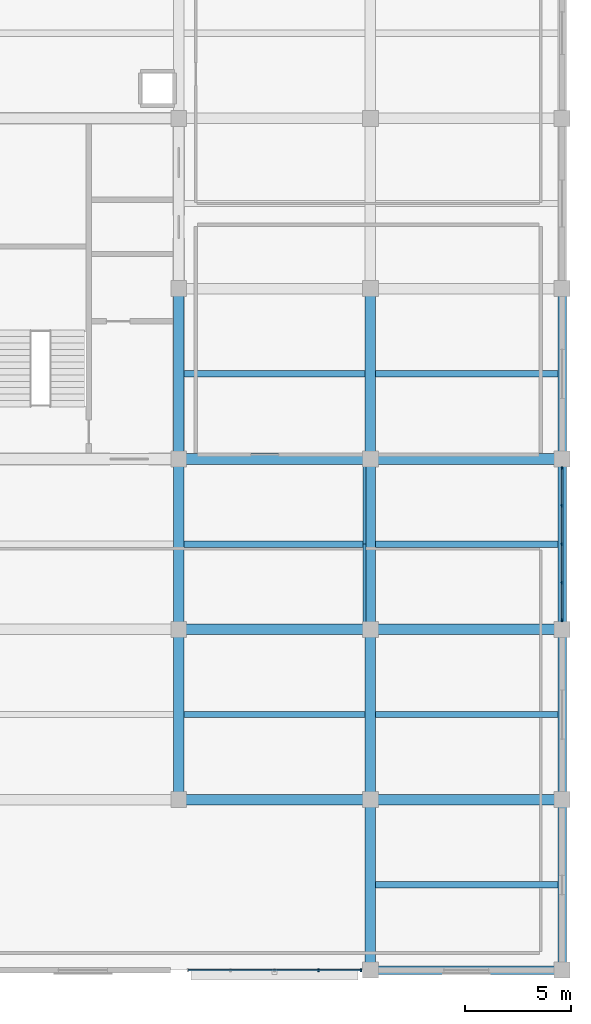
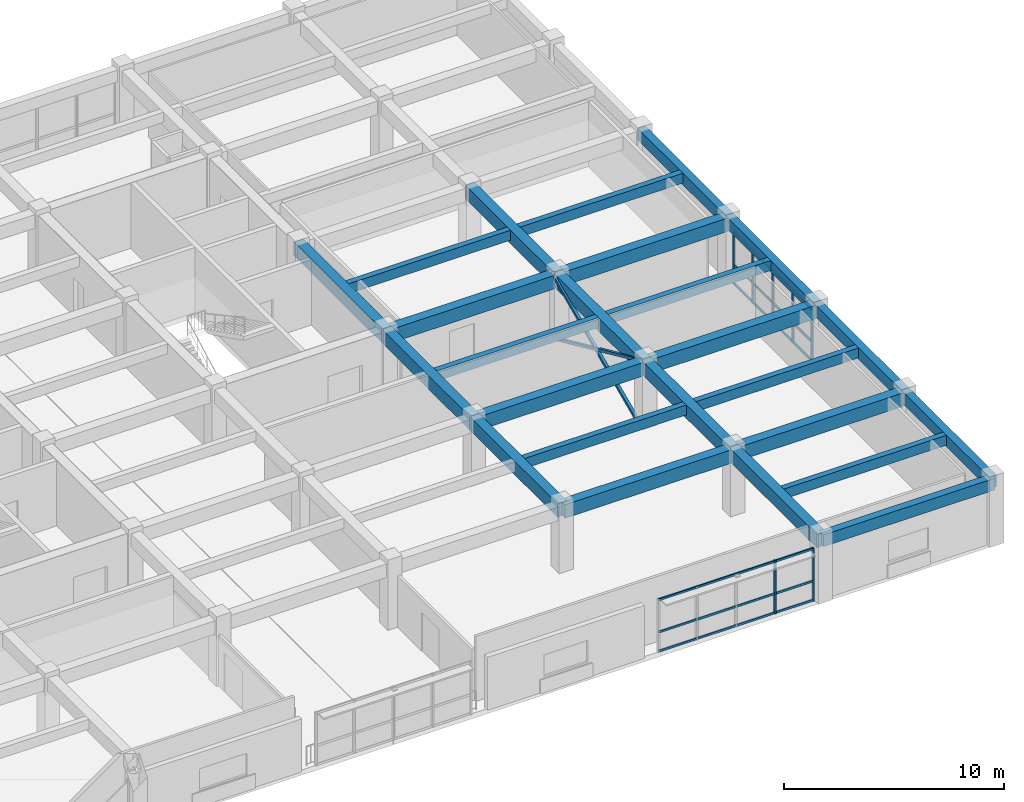
# One storey, part 6 of 15: 25 beams, 15 members, 2 elements without a shape of their own.
"""IFC4 building model written with IfcOpenShell, lengths in metres."""

from ifc_helpers import new_model, si_unit, direction, frame, origin, origin_2d, place, context, subcontext, project, spatial, rectangle, hollow_rectangle, extrude, material, material_profile, profile_set, type_object, element, aggregate, save


model = new_model("IFC4")

# Units and contexts
model_context = context("Model", 3, precision=1e-05, world=origin(), true_north=direction((0.0, 1.0)))
body_context = subcontext(model_context, "Body", "Model", "MODEL_VIEW")
ifc_project = project(units=[si_unit("LENGTHUNIT", "METRE"), si_unit("AREAUNIT", "SQUARE_METRE"), si_unit("VOLUMEUNIT", "CUBIC_METRE"), si_unit("PLANEANGLEUNIT", "RADIAN"), si_unit("MASSUNIT", "GRAM", prefix="KILO")], contexts=[model_context])

# Site, building, storey
site_placement = place(None, origin())
site = spatial("IfcSite", under=ifc_project, at=site_placement, CompositionType="ELEMENT")
building_placement = place(site_placement, origin())
building = spatial("IfcBuilding", under=site, at=building_placement, Name="Zaverband Oceanarium and Marine Research Institute", CompositionType="ELEMENT")
storey_placement = place(building_placement, frame((0.0, 0.0, 49.199951171875)))
storey = spatial("IfcBuildingStorey", under=building, at=storey_placement, Name="L12", CompositionType="ELEMENT", Elevation=49.199951171875)

# Beams
ifc_material_1 = material(Name="Concrete C40/50", Category="concrete")
ifc_material_profile_1 = material_profile(ifc_material_1, rectangle(XDim=0.5, YDim=0.75, at=origin_2d()), Name="RC500x750")
ifc_profile_set_1 = profile_set([ifc_material_profile_1], Name="Concrete C40/50")
beam_type_1 = type_object("IfcBeamType", Name="BM-500x750", PredefinedType="BEAM", material=ifc_profile_set_1)
for number, where, z_axis, x_axis, name in (
    (1, (45.0, 72.0, 3.2451171875), (1.0, 0.0, 0.0), (0.0, 1.0, 0.0), "Primary floor girder BM-500x750"),
    (2, (54.0, 72.0, 3.2451171875), (1.0, 0.0, 0.0), (0.0, 1.0, 0.0), "Primary floor girder BM-500x750"),
    (3, (45.0, 80.0, 3.2451171875), (1.0, 0.0, 0.0), (0.0, 1.0, 0.0), "Primary floor girder BM-500x750"),
    (4, (54.0, 80.0, 3.2451171875), (1.0, 0.0, 0.0), (0.0, 1.0, 0.0), "Primary floor girder BM-500x750"),
    (5, (45.0, 88.0, 3.2451171875), (1.0, 0.0, 0.0), (0.0, 1.0, 0.0), "Primary floor girder BM-500x750"),
    (6, (54.0, 88.0, 3.2451171875), (1.0, 0.0, 0.0), (0.0, 1.0, 0.0), "Primary floor girder BM-500x750"),
):
    element("IfcBeam", number, at=place(storey_placement, frame(where, z_axis=z_axis, x_axis=x_axis)), inside=storey, type_object=beam_type_1, Name=name, PredefinedType="BEAM", context=body_context, shape_type="SweptSolid", body=[
        extrude(rectangle(XDim=0.5, YDim=0.75, at=origin_2d()), origin(), (0.0, 0.0, 1.0), 9.0),
    ])
for number, where, z_axis, x_axis, name in (
    (7, (45.0, 72.0, 3.2451171875), (0.0, 1.0, 0.0), (-1.0, 0.0, 0.0), "Primary floor girder BM-500x750"),
    (8, (45.0, 80.0, 3.2451171875), (0.0, 1.0, 0.0), (-1.0, 0.0, 0.0), "Primary floor girder BM-500x750"),
    (9, (45.0, 88.0, 3.2451171875), (0.0, 1.0, 0.0), (-1.0, 0.0, 0.0), "Primary floor girder BM-500x750"),
    (10, (54.0, 64.0, 3.2451171875), (0.0, 1.0, 0.0), (-1.0, 0.0, 0.0), "Primary floor girder BM-500x750"),
    (11, (54.0, 72.0, 3.2451171875), (0.0, 1.0, 0.0), (-1.0, 0.0, 0.0), "Primary floor girder BM-500x750"),
    (12, (54.0, 80.0, 3.2451171875), (0.0, 1.0, 0.0), (-1.0, 0.0, 0.0), "Primary floor girder BM-500x750"),
    (13, (54.0, 88.0, 3.2451171875), (0.0, 1.0, 0.0), (-1.0, 0.0, 0.0), "Primary floor girder BM-500x750"),
):
    element("IfcBeam", number, at=place(storey_placement, frame(where, z_axis=z_axis, x_axis=x_axis)), inside=storey, type_object=beam_type_1, Name=name, PredefinedType="BEAM", context=body_context, shape_type="SweptSolid", body=[
        extrude(rectangle(XDim=0.5, YDim=0.75, at=origin_2d()), origin(), (0.0, 0.0, 1.0), 8.0),
    ])

# Members
ifc_material_2 = material(Name="Steel S355", Category="steel")
ifc_material_profile_2 = material_profile(ifc_material_2, hollow_rectangle(XDim=0.14990234375, YDim=0.14990234375, WallThickness=0.008056640625, at=origin_2d()), Name="SHS150x150x8")
ifc_profile_set_2 = profile_set([ifc_material_profile_2], Name="Steel S355")
member_type_1 = type_object("IfcMemberType", Name="BR-04", PredefinedType="BRACE", material=ifc_profile_set_2)
for number, where, z_axis, x_axis, name in (
    (14, (53.719970703125, 80.0, 0.0), (0.0, 0.91106217571, 0.412268980146), (-1.0, 0.0, 0.0), "Diagonal lateral brace BR-04"),
    (15, (53.719970703125, 88.0, 0.0), (0.0, -0.91106217571, 0.412268980146), (1.0, 0.0, 0.0), "Diagonal lateral brace BR-04"),
):
    element("IfcMember", number, at=place(storey_placement, frame(where, z_axis=z_axis, x_axis=x_axis)), inside=storey, type_object=member_type_1, Name=name, PredefinedType="BRACE", context=body_context, shape_type="SweptSolid", body=[
        extrude(hollow_rectangle(XDim=0.14990234375, YDim=0.14990234375, WallThickness=0.008056640625, at=origin_2d()), origin(), (0.0, 0.0, 1.0), 8.781005859375),
    ])

# Beams
ifc_material_profile_3 = material_profile(ifc_material_1, rectangle(XDim=0.300048828125, YDim=0.550048828125, at=origin_2d()), Name="RC300x550")
ifc_profile_set_3 = profile_set([ifc_material_profile_3], Name="Concrete C40/50")
beam_type_2 = type_object("IfcBeamType", Name="JST-300x550", PredefinedType="JOIST", material=ifc_profile_set_3)
for number, where, z_axis, x_axis, name in (
    (16, (45.25, 76.0, 3.344970703125), (1.0, 0.0, 0.0), (0.0, 1.0, 0.0), "Secondary floor joist JST-300x550"),
    (17, (45.25, 84.0, 3.344970703125), (1.0, 0.0, 0.0), (0.0, 1.0, 0.0), "Secondary floor joist JST-300x550"),
    (18, (45.25, 92.0, 3.344970703125), (1.0, 0.0, 0.0), (0.0, 1.0, 0.0), "Secondary floor joist JST-300x550"),
):
    element("IfcBeam", number, at=place(storey_placement, frame(where, z_axis=z_axis, x_axis=x_axis)), inside=storey, type_object=beam_type_2, Name=name, PredefinedType="JOIST", context=body_context, shape_type="SweptSolid", body=[
        extrude(rectangle(XDim=0.300048828125, YDim=0.550048828125, at=origin_2d()), origin(), (0.0, 0.0, 1.0), 8.5),
    ])
for number, where, z_axis, x_axis, name in (
    (19, (54.25, 68.0, 3.344970703125), (1.0, 0.0, 0.0), (0.0, 1.0, 0.0), "Secondary floor joist JST-300x550"),
    (20, (54.25, 76.0, 3.344970703125), (1.0, 0.0, 0.0), (0.0, 1.0, 0.0), "Secondary floor joist JST-300x550"),
    (21, (54.25, 84.0, 3.344970703125), (1.0, 0.0, 0.0), (0.0, 1.0, 0.0), "Secondary floor joist JST-300x550"),
    (22, (54.25, 92.0, 3.344970703125), (1.0, 0.0, 0.0), (0.0, 1.0, 0.0), "Secondary floor joist JST-300x550"),
):
    element("IfcBeam", number, at=place(storey_placement, frame(where, z_axis=z_axis, x_axis=x_axis)), inside=storey, type_object=beam_type_2, Name=name, PredefinedType="JOIST", context=body_context, shape_type="SweptSolid", body=[
        extrude(rectangle(XDim=0.300048828125, YDim=0.550048828125, at=origin_2d()), origin(), (0.0, 0.0, 1.0), 8.550048828125),
    ])

# Curtain wall, members
ifc_material_3 = material(Name="Thermally broken anodized aluminium and solar-control glass", Category="aluminium")
curtain_wall_type = type_object("IfcCurtainWallType", Name="CW-UNIT-1800", PredefinedType="NOTDEFINED", material=ifc_material_3)
curtain_wall_1_placement = place(storey_placement, origin())
curtain_wall_1 = element("IfcCurtainWall", 23, at=curtain_wall_1_placement, inside=storey, type_object=curtain_wall_type, Name="Unitised glazed curtain wall CW-132", PredefinedType="NOTDEFINED")
ifc_material_4 = material(Name="Thermally broken anodized aluminium", Category="aluminium")
ifc_material_profile_4 = material_profile(ifc_material_4, rectangle(XDim=0.070068359375, YDim=0.14990234375, at=origin_2d()), Name="AL-MUL-70x150")
ifc_profile_set_4 = profile_set([ifc_material_profile_4], Name="Thermally broken anodized aluminium")
member_type_2 = type_object("IfcMemberType", Name="MUL-70x150", PredefinedType="MULLION", material=ifc_profile_set_4)
member_1_placement = place(storey_placement, frame((51.56005859375, 64.0, 0.0), z_axis=(0.0, 0.0, 1.0), x_axis=(1.0, 0.0, 0.0)))
member_1 = element("IfcMember", 24, at=member_1_placement, type_object=member_type_2, Name="Curtain wall vertical mullion MUL-70x150", PredefinedType="MULLION", context=body_context, shape_type="SweptSolid", body=[
    extrude(rectangle(XDim=0.070068359375, YDim=0.14990234375, at=origin_2d()), origin(), (0.0, 0.0, 1.0), 2.949951171875),
])
member_2_placement = place(storey_placement, frame((53.56005859375, 64.0, 0.0), z_axis=(0.0, 0.0, 1.0), x_axis=(1.0, 0.0, 0.0)))
member_2 = element("IfcMember", 25, at=member_2_placement, type_object=member_type_2, Name="Curtain wall vertical mullion MUL-70x150", PredefinedType="MULLION", context=body_context, shape_type="SweptSolid", body=[
    extrude(rectangle(XDim=0.070068359375, YDim=0.14990234375, at=origin_2d()), origin(), (0.0, 0.0, 1.0), 2.949951171875),
])

curtain_wall_2_placement = place(storey_placement, origin())
curtain_wall_2 = element("IfcCurtainWall", 26, at=curtain_wall_2_placement, inside=storey, type_object=curtain_wall_type, Name="Unitised glazed curtain wall CW-138", PredefinedType="NOTDEFINED")
member_3_placement = place(storey_placement, frame((63.0, 80.43994140625, 0.0), z_axis=(0.0, 0.0, 1.0), x_axis=(1.0, 0.0, 0.0)))
member_3 = element("IfcMember", 27, at=member_3_placement, type_object=member_type_2, Name="Curtain wall vertical mullion MUL-70x150", PredefinedType="MULLION", context=body_context, shape_type="SweptSolid", body=[
    extrude(rectangle(XDim=0.070068359375, YDim=0.14990234375, at=origin_2d()), origin(), (0.0, 0.0, 1.0), 2.949951171875),
])
member_4_placement = place(storey_placement, frame((63.0, 82.18994140625, 0.0), z_axis=(0.0, 0.0, 1.0), x_axis=(1.0, 0.0, 0.0)))
member_4 = element("IfcMember", 28, at=member_4_placement, type_object=member_type_2, Name="Curtain wall vertical mullion MUL-70x150", PredefinedType="MULLION", context=body_context, shape_type="SweptSolid", body=[
    extrude(rectangle(XDim=0.070068359375, YDim=0.14990234375, at=origin_2d()), origin(), (0.0, 0.0, 1.0), 2.949951171875),
])
member_5_placement = place(storey_placement, frame((63.0, 84.0, 0.0), z_axis=(0.0, 0.0, 1.0), x_axis=(1.0, 0.0, 0.0)))
member_5 = element("IfcMember", 29, at=member_5_placement, type_object=member_type_2, Name="Curtain wall vertical mullion MUL-70x150", PredefinedType="MULLION", context=body_context, shape_type="SweptSolid", body=[
    extrude(rectangle(XDim=0.070068359375, YDim=0.14990234375, at=origin_2d()), origin(), (0.0, 0.0, 1.0), 2.949951171875),
])
member_6_placement = place(storey_placement, frame((63.0, 85.81005859375, 0.0), z_axis=(0.0, 0.0, 1.0), x_axis=(1.0, 0.0, 0.0)))
member_6 = element("IfcMember", 30, at=member_6_placement, type_object=member_type_2, Name="Curtain wall vertical mullion MUL-70x150", PredefinedType="MULLION", context=body_context, shape_type="SweptSolid", body=[
    extrude(rectangle(XDim=0.070068359375, YDim=0.14990234375, at=origin_2d()), origin(), (0.0, 0.0, 1.0), 2.949951171875),
])
member_7_placement = place(storey_placement, frame((63.0, 87.56005859375, 0.0), z_axis=(0.0, 0.0, 1.0), x_axis=(1.0, 0.0, 0.0)))
member_7 = element("IfcMember", 31, at=member_7_placement, type_object=member_type_2, Name="Curtain wall vertical mullion MUL-70x150", PredefinedType="MULLION", context=body_context, shape_type="SweptSolid", body=[
    extrude(rectangle(XDim=0.070068359375, YDim=0.14990234375, at=origin_2d()), origin(), (0.0, 0.0, 1.0), 2.949951171875),
])

# Beams
ifc_material_profile_5 = material_profile(ifc_material_1, rectangle(XDim=0.39990234375, YDim=0.64990234375, at=origin_2d()), Name="RC400x650")
ifc_profile_set_5 = profile_set([ifc_material_profile_5], Name="Concrete C40/50")
beam_type_3 = type_object("IfcBeamType", Name="SPN-400x650", PredefinedType="SPANDREL", material=ifc_profile_set_5)
beam_placement = place(storey_placement, frame((54.0, 64.0, 3.295166015625), z_axis=(1.0, 0.0, 0.0), x_axis=(0.0, 1.0, 0.0)))
element("IfcBeam", 32, at=beam_placement, inside=storey, type_object=beam_type_3, Name="Perimeter spandrel beam SPN-400x650", PredefinedType="SPANDREL", context=body_context, shape_type="SweptSolid", body=[
    extrude(rectangle(XDim=0.39990234375, YDim=0.64990234375, at=origin_2d()), origin(), (0.0, 0.0, 1.0), 9.0),
])
for number, where, z_axis, x_axis, name in (
    (33, (63.0, 64.0, 3.295166015625), (0.0, 1.0, 0.0), (-1.0, 0.0, 0.0), "Perimeter spandrel beam SPN-400x650"),
    (34, (63.0, 72.0, 3.295166015625), (0.0, 1.0, 0.0), (-1.0, 0.0, 0.0), "Perimeter spandrel beam SPN-400x650"),
    (35, (63.0, 80.0, 3.295166015625), (0.0, 1.0, 0.0), (-1.0, 0.0, 0.0), "Perimeter spandrel beam SPN-400x650"),
    (36, (63.0, 88.0, 3.295166015625), (0.0, 1.0, 0.0), (-1.0, 0.0, 0.0), "Perimeter spandrel beam SPN-400x650"),
):
    element("IfcBeam", number, at=place(storey_placement, frame(where, z_axis=z_axis, x_axis=x_axis)), inside=storey, type_object=beam_type_3, Name=name, PredefinedType="SPANDREL", context=body_context, shape_type="SweptSolid", body=[
        extrude(rectangle(XDim=0.39990234375, YDim=0.64990234375, at=origin_2d()), origin(), (0.0, 0.0, 1.0), 8.0),
    ])

# Member
ifc_material_profile_6 = material_profile(ifc_material_4, rectangle(XDim=0.070068359375, YDim=0.114990234375, at=origin_2d()), Name="AL-TRN-70x115")
ifc_profile_set_6 = profile_set([ifc_material_profile_6], Name="Thermally broken anodized aluminium")
member_type_3 = type_object("IfcMemberType", Name="TRN-70x115", PredefinedType="USERDEFINED", material=ifc_profile_set_6)
member_8_placement = place(storey_placement, frame((45.43994140625, 64.0, 0.050048828125), z_axis=(1.0, 0.0, 0.0), x_axis=(0.0, 1.0, 0.0)))
member_8 = element("IfcMember", 37, at=member_8_placement, type_object=member_type_3, Name="Curtain wall horizontal transom TRN-70x115", ObjectType="TRANSOM", PredefinedType="USERDEFINED", context=body_context, shape_type="SweptSolid", body=[
    extrude(rectangle(XDim=0.070068359375, YDim=0.114990234375, at=origin_2d()), origin(), (0.0, 0.0, 1.0), 8.1201171875),
])

member_9_placement = place(storey_placement, frame((45.43994140625, 64.0, 1.112060546875), z_axis=(1.0, 0.0, 0.0), x_axis=(0.0, 1.0, 0.0)))
member_9 = element("IfcMember", 38, at=member_9_placement, type_object=member_type_3, Name="Curtain wall horizontal transom TRN-70x115", ObjectType="TRANSOM", PredefinedType="USERDEFINED", context=body_context, shape_type="SweptSolid", body=[
    extrude(rectangle(XDim=0.070068359375, YDim=0.114990234375, at=origin_2d()), origin(), (0.0, 0.0, 1.0), 8.1201171875),
])

member_10_placement = place(storey_placement, frame((45.43994140625, 64.0, 2.900146484375), z_axis=(1.0, 0.0, 0.0), x_axis=(0.0, 1.0, 0.0)))
member_10 = element("IfcMember", 39, at=member_10_placement, type_object=member_type_3, Name="Curtain wall horizontal transom TRN-70x115", ObjectType="TRANSOM", PredefinedType="USERDEFINED", context=body_context, shape_type="SweptSolid", body=[
    extrude(rectangle(XDim=0.070068359375, YDim=0.114990234375, at=origin_2d()), origin(), (0.0, 0.0, 1.0), 8.1201171875),
])

aggregate(curtain_wall_1, [member_1, member_2, member_8, member_9, member_10])

member_11_placement = place(storey_placement, frame((63.0, 80.43994140625, 0.050048828125), z_axis=(0.0, 1.0, 0.0), x_axis=(-1.0, 0.0, 0.0)))
member_11 = element("IfcMember", 40, at=member_11_placement, type_object=member_type_3, Name="Curtain wall horizontal transom TRN-70x115", ObjectType="TRANSOM", PredefinedType="USERDEFINED", context=body_context, shape_type="SweptSolid", body=[
    extrude(rectangle(XDim=0.070068359375, YDim=0.114990234375, at=origin_2d()), origin(), (0.0, 0.0, 1.0), 7.1201171875),
])

member_12_placement = place(storey_placement, frame((63.0, 80.43994140625, 1.112060546875), z_axis=(0.0, 1.0, 0.0), x_axis=(-1.0, 0.0, 0.0)))
member_12 = element("IfcMember", 41, at=member_12_placement, type_object=member_type_3, Name="Curtain wall horizontal transom TRN-70x115", ObjectType="TRANSOM", PredefinedType="USERDEFINED", context=body_context, shape_type="SweptSolid", body=[
    extrude(rectangle(XDim=0.070068359375, YDim=0.114990234375, at=origin_2d()), origin(), (0.0, 0.0, 1.0), 7.1201171875),
])

member_13_placement = place(storey_placement, frame((63.0, 80.43994140625, 2.900146484375), z_axis=(0.0, 1.0, 0.0), x_axis=(-1.0, 0.0, 0.0)))
member_13 = element("IfcMember", 42, at=member_13_placement, type_object=member_type_3, Name="Curtain wall horizontal transom TRN-70x115", ObjectType="TRANSOM", PredefinedType="USERDEFINED", context=body_context, shape_type="SweptSolid", body=[
    extrude(rectangle(XDim=0.070068359375, YDim=0.114990234375, at=origin_2d()), origin(), (0.0, 0.0, 1.0), 7.1201171875),
])

aggregate(curtain_wall_2, [member_3, member_4, member_5, member_6, member_7, member_11, member_12, member_13])

save(model, "model.ifc")
